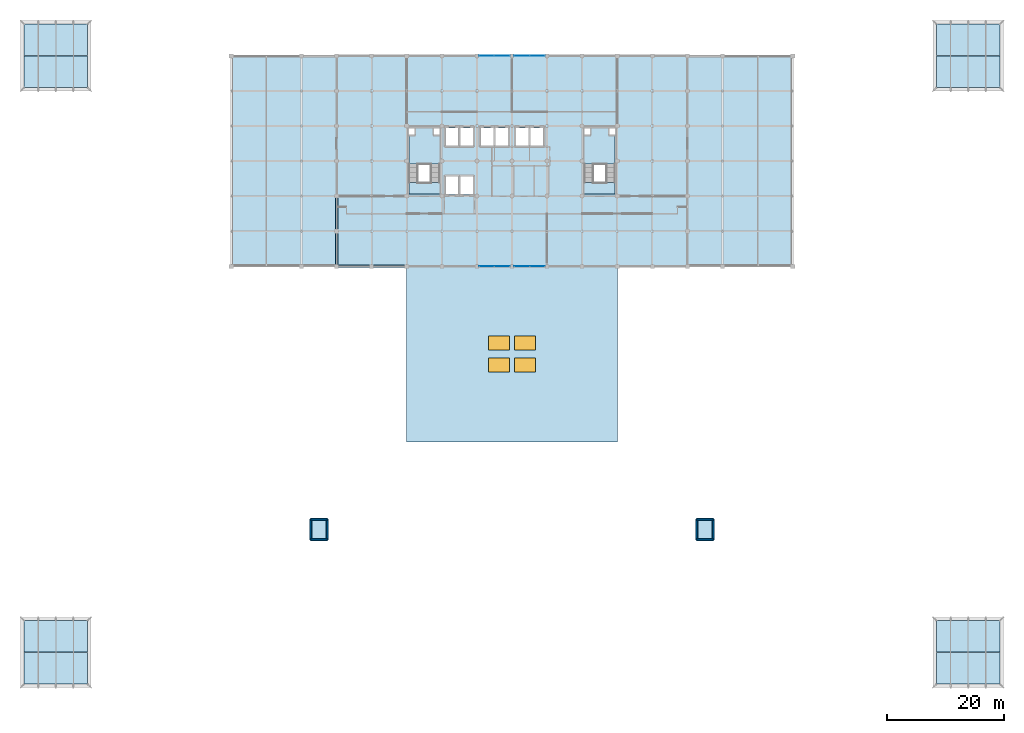
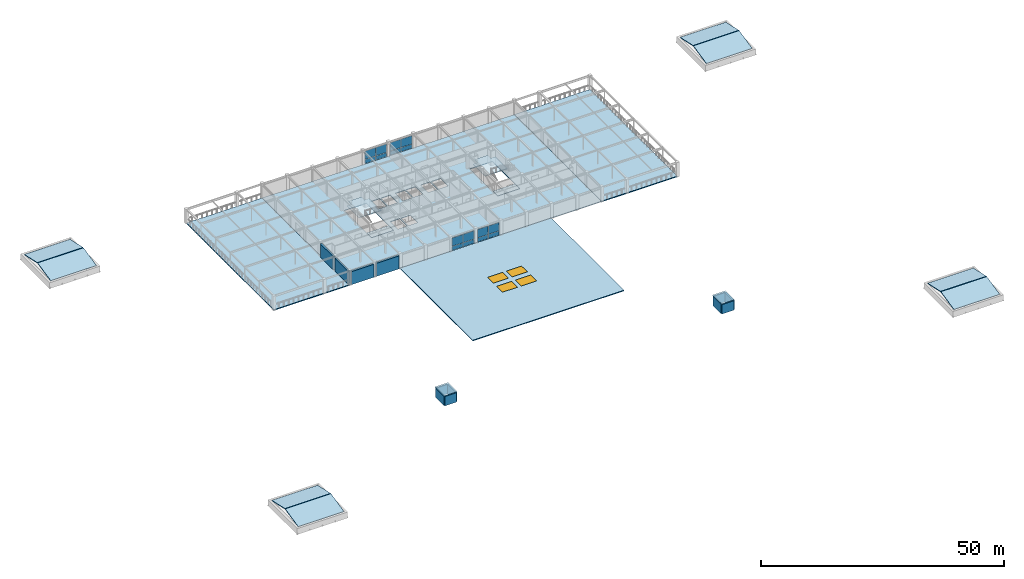
# One storey, part 19 of 25: 18 slabs, 16 plates, 12 walls, 4 windows, 4 openings, 6 elements without a shape of their own.
"""IFC4 building model written with IfcOpenShell, lengths in metres."""

from ifc_helpers import new_model, si_unit, direction, frame, frame_2d, origin, origin_2d, place, context, subcontext, project, spatial, polyline, rectangle, outline, extrude, material, layer, layer_set, type_object, element, fill, aggregate, save


model = new_model("IFC4")

# Units and contexts
model_context = context("Model", 3, precision=1e-05, world=origin(), true_north=direction((0.0, 1.0)))
body_context = subcontext(model_context, "Body", "Model", "MODEL_VIEW")
ifc_project = project(units=[si_unit("LENGTHUNIT", "METRE"), si_unit("AREAUNIT", "SQUARE_METRE"), si_unit("VOLUMEUNIT", "CUBIC_METRE"), si_unit("PLANEANGLEUNIT", "RADIAN"), si_unit("MASSUNIT", "GRAM", prefix="KILO")], contexts=[model_context])

# Site, building, storey
site_placement = place(None, origin())
site = spatial("IfcSite", under=ifc_project, at=site_placement, CompositionType="ELEMENT")
building_placement = place(site_placement, origin())
building = spatial("IfcBuilding", under=site, at=building_placement, Name="Zlatovratsky Civic Hall", CompositionType="ELEMENT")
storey_placement = place(building_placement, frame((0.0, 0.0, 21.0)))
storey = spatial("IfcBuildingStorey", under=building, at=storey_placement, Name="L05", CompositionType="ELEMENT", Elevation=21.0)

# Curtain wall, plates
ifc_material_1 = material(Name="Anodised bronze aluminium", Category="aluminium")
ifc_layer_1 = layer(ifc_material_1, 0.159912109375)
ifc_layer_set_1 = layer_set([ifc_layer_1], Name="Anodised bronze aluminium")
curtain_wall_type = type_object("IfcCurtainWallType", Name="CurtainWall_Bronze_5300x3280_20", PredefinedType="NOTDEFINED", material=ifc_layer_set_1)
curtain_wall_1_placement = place(storey_placement, origin())
curtain_wall_1 = element("IfcCurtainWall", 1, at=curtain_wall_1_placement, inside=storey, type_object=curtain_wall_type, Name="CW-129", PredefinedType="NOTDEFINED")
ifc_material_2 = material(Name="Solar-control triple glazing", Category="glass")
ifc_layer_2 = layer(ifc_material_2, 0.028076171875)
ifc_layer_set_2 = layer_set([ifc_layer_2], Name="Solar-control triple glazing")
plate_type = type_object("IfcPlateType", Name="Panel_TowerTripleGlazing_28", PredefinedType="CURTAIN_PANEL", material=ifc_layer_set_2)
plate_1_placement = place(storey_placement, frame((79.68994140625, 72.0, 0.06005859375), z_axis=(0.0, 0.0, 1.0), x_axis=(1.0, 0.0, 0.0)))
plate_1 = element("IfcPlate", 2, at=plate_1_placement, type_object=plate_type, Name="CW-20 panel 1.1", PredefinedType="CURTAIN_PANEL", context=body_context, shape_type="SweptSolid", body=[
    extrude(rectangle(XDim=2.56005859375, YDim=0.028076171875, at=origin_2d()), origin(), (0.0, 0.0, 1.0), 1.010009765625),
])
plate_2_placement = place(storey_placement, frame((79.68994140625, 72.0, 1.1298828125), z_axis=(0.0, 0.0, 1.0), x_axis=(1.0, 0.0, 0.0)))
plate_2 = element("IfcPlate", 3, at=plate_2_placement, type_object=plate_type, Name="CW-20 panel 1.2", PredefinedType="CURTAIN_PANEL", context=body_context, shape_type="SweptSolid", body=[
    extrude(rectangle(XDim=2.56005859375, YDim=0.028076171875, at=origin_2d()), origin(), (0.0, 0.0, 1.0), 2.090087890625),
])
plate_3_placement = place(storey_placement, frame((82.31005859375, 72.0, 0.06005859375), z_axis=(0.0, 0.0, 1.0), x_axis=(1.0, 0.0, 0.0)))
plate_3 = element("IfcPlate", 4, at=plate_3_placement, type_object=plate_type, Name="CW-20 panel 2.1", PredefinedType="CURTAIN_PANEL", context=body_context, shape_type="SweptSolid", body=[
    extrude(rectangle(XDim=2.56005859375, YDim=0.028076171875, at=origin_2d()), origin(), (0.0, 0.0, 1.0), 1.010009765625),
])
plate_4_placement = place(storey_placement, frame((82.31005859375, 72.0, 1.1298828125), z_axis=(0.0, 0.0, 1.0), x_axis=(1.0, 0.0, 0.0)))
plate_4 = element("IfcPlate", 5, at=plate_4_placement, type_object=plate_type, Name="CW-20 panel 2.2", PredefinedType="CURTAIN_PANEL", context=body_context, shape_type="SweptSolid", body=[
    extrude(rectangle(XDim=2.56005859375, YDim=0.028076171875, at=origin_2d()), origin(), (0.0, 0.0, 1.0), 2.090087890625),
])
aggregate(curtain_wall_1, [plate_1, plate_2, plate_3, plate_4])

curtain_wall_2_placement = place(storey_placement, origin())
curtain_wall_2 = element("IfcCurtainWall", 6, at=curtain_wall_2_placement, inside=storey, type_object=curtain_wall_type, Name="CW-130", PredefinedType="NOTDEFINED")
plate_5_placement = place(storey_placement, frame((85.68994140625, 72.0, 0.06005859375), z_axis=(0.0, 0.0, 1.0), x_axis=(1.0, 0.0, 0.0)))
plate_5 = element("IfcPlate", 7, at=plate_5_placement, type_object=plate_type, Name="CW-20 panel 1.1", PredefinedType="CURTAIN_PANEL", context=body_context, shape_type="SweptSolid", body=[
    extrude(rectangle(XDim=2.56005859375, YDim=0.028076171875, at=origin_2d()), origin(), (0.0, 0.0, 1.0), 1.010009765625),
])
plate_6_placement = place(storey_placement, frame((85.68994140625, 72.0, 1.1298828125), z_axis=(0.0, 0.0, 1.0), x_axis=(1.0, 0.0, 0.0)))
plate_6 = element("IfcPlate", 8, at=plate_6_placement, type_object=plate_type, Name="CW-20 panel 1.2", PredefinedType="CURTAIN_PANEL", context=body_context, shape_type="SweptSolid", body=[
    extrude(rectangle(XDim=2.56005859375, YDim=0.028076171875, at=origin_2d()), origin(), (0.0, 0.0, 1.0), 2.090087890625),
])
plate_7_placement = place(storey_placement, frame((88.31005859375, 72.0, 0.06005859375), z_axis=(0.0, 0.0, 1.0), x_axis=(1.0, 0.0, 0.0)))
plate_7 = element("IfcPlate", 9, at=plate_7_placement, type_object=plate_type, Name="CW-20 panel 2.1", PredefinedType="CURTAIN_PANEL", context=body_context, shape_type="SweptSolid", body=[
    extrude(rectangle(XDim=2.56005859375, YDim=0.028076171875, at=origin_2d()), origin(), (0.0, 0.0, 1.0), 1.010009765625),
])
plate_8_placement = place(storey_placement, frame((88.31005859375, 72.0, 1.1298828125), z_axis=(0.0, 0.0, 1.0), x_axis=(1.0, 0.0, 0.0)))
plate_8 = element("IfcPlate", 10, at=plate_8_placement, type_object=plate_type, Name="CW-20 panel 2.2", PredefinedType="CURTAIN_PANEL", context=body_context, shape_type="SweptSolid", body=[
    extrude(rectangle(XDim=2.56005859375, YDim=0.028076171875, at=origin_2d()), origin(), (0.0, 0.0, 1.0), 2.090087890625),
])
aggregate(curtain_wall_2, [plate_5, plate_6, plate_7, plate_8])

curtain_wall_3_placement = place(storey_placement, origin())
curtain_wall_3 = element("IfcCurtainWall", 11, at=curtain_wall_3_placement, inside=storey, type_object=curtain_wall_type, Name="CW-131", PredefinedType="NOTDEFINED")
plate_9_placement = place(storey_placement, frame((79.68994140625, 108.0, 0.06005859375), z_axis=(0.0, 0.0, 1.0), x_axis=(1.0, 0.0, 0.0)))
plate_9 = element("IfcPlate", 12, at=plate_9_placement, type_object=plate_type, Name="CW-20 panel 1.1", PredefinedType="CURTAIN_PANEL", context=body_context, shape_type="SweptSolid", body=[
    extrude(rectangle(XDim=2.56005859375, YDim=0.028076171875, at=origin_2d()), origin(), (0.0, 0.0, 1.0), 1.010009765625),
])
plate_10_placement = place(storey_placement, frame((79.68994140625, 108.0, 1.1298828125), z_axis=(0.0, 0.0, 1.0), x_axis=(1.0, 0.0, 0.0)))
plate_10 = element("IfcPlate", 13, at=plate_10_placement, type_object=plate_type, Name="CW-20 panel 1.2", PredefinedType="CURTAIN_PANEL", context=body_context, shape_type="SweptSolid", body=[
    extrude(rectangle(XDim=2.56005859375, YDim=0.028076171875, at=origin_2d()), origin(), (0.0, 0.0, 1.0), 2.090087890625),
])
plate_11_placement = place(storey_placement, frame((82.31005859375, 108.0, 0.06005859375), z_axis=(0.0, 0.0, 1.0), x_axis=(1.0, 0.0, 0.0)))
plate_11 = element("IfcPlate", 14, at=plate_11_placement, type_object=plate_type, Name="CW-20 panel 2.1", PredefinedType="CURTAIN_PANEL", context=body_context, shape_type="SweptSolid", body=[
    extrude(rectangle(XDim=2.56005859375, YDim=0.028076171875, at=origin_2d()), origin(), (0.0, 0.0, 1.0), 1.010009765625),
])
plate_12_placement = place(storey_placement, frame((82.31005859375, 108.0, 1.1298828125), z_axis=(0.0, 0.0, 1.0), x_axis=(1.0, 0.0, 0.0)))
plate_12 = element("IfcPlate", 15, at=plate_12_placement, type_object=plate_type, Name="CW-20 panel 2.2", PredefinedType="CURTAIN_PANEL", context=body_context, shape_type="SweptSolid", body=[
    extrude(rectangle(XDim=2.56005859375, YDim=0.028076171875, at=origin_2d()), origin(), (0.0, 0.0, 1.0), 2.090087890625),
])
aggregate(curtain_wall_3, [plate_9, plate_10, plate_11, plate_12])

curtain_wall_4_placement = place(storey_placement, origin())
curtain_wall_4 = element("IfcCurtainWall", 16, at=curtain_wall_4_placement, inside=storey, type_object=curtain_wall_type, Name="CW-132", PredefinedType="NOTDEFINED")
plate_13_placement = place(storey_placement, frame((85.68994140625, 108.0, 0.06005859375), z_axis=(0.0, 0.0, 1.0), x_axis=(1.0, 0.0, 0.0)))
plate_13 = element("IfcPlate", 17, at=plate_13_placement, type_object=plate_type, Name="CW-20 panel 1.1", PredefinedType="CURTAIN_PANEL", context=body_context, shape_type="SweptSolid", body=[
    extrude(rectangle(XDim=2.56005859375, YDim=0.028076171875, at=origin_2d()), origin(), (0.0, 0.0, 1.0), 1.010009765625),
])
plate_14_placement = place(storey_placement, frame((85.68994140625, 108.0, 1.1298828125), z_axis=(0.0, 0.0, 1.0), x_axis=(1.0, 0.0, 0.0)))
plate_14 = element("IfcPlate", 18, at=plate_14_placement, type_object=plate_type, Name="CW-20 panel 1.2", PredefinedType="CURTAIN_PANEL", context=body_context, shape_type="SweptSolid", body=[
    extrude(rectangle(XDim=2.56005859375, YDim=0.028076171875, at=origin_2d()), origin(), (0.0, 0.0, 1.0), 2.090087890625),
])
plate_15_placement = place(storey_placement, frame((88.31005859375, 108.0, 0.06005859375), z_axis=(0.0, 0.0, 1.0), x_axis=(1.0, 0.0, 0.0)))
plate_15 = element("IfcPlate", 19, at=plate_15_placement, type_object=plate_type, Name="CW-20 panel 2.1", PredefinedType="CURTAIN_PANEL", context=body_context, shape_type="SweptSolid", body=[
    extrude(rectangle(XDim=2.56005859375, YDim=0.028076171875, at=origin_2d()), origin(), (0.0, 0.0, 1.0), 1.010009765625),
])
plate_16_placement = place(storey_placement, frame((88.31005859375, 108.0, 1.1298828125), z_axis=(0.0, 0.0, 1.0), x_axis=(1.0, 0.0, 0.0)))
plate_16 = element("IfcPlate", 20, at=plate_16_placement, type_object=plate_type, Name="CW-20 panel 2.2", PredefinedType="CURTAIN_PANEL", context=body_context, shape_type="SweptSolid", body=[
    extrude(rectangle(XDim=2.56005859375, YDim=0.028076171875, at=origin_2d()), origin(), (0.0, 0.0, 1.0), 2.090087890625),
])
aggregate(curtain_wall_4, [plate_13, plate_14, plate_15, plate_16])

# Slab, openings, windows
ifc_material_3 = material(Name="Concrete C35/45 (B40)", Category="concrete")
ifc_layer_3 = layer(ifc_material_3, 0.199951171875)
ifc_layer_set_3 = layer_set([ifc_layer_3], Name="Concrete C35/45 (B40)")
slab_type_1 = type_object("IfcSlabType", Name="Slab_ChamberCofferedRoof_200", PredefinedType="ROOF", material=ifc_layer_set_3)
slab_1_placement = place(storey_placement, frame((0.0, 0.0, -0.199951171875)))
slab_1 = element("IfcSlab", 21, at=slab_1_placement, inside=storey, type_object=slab_type_1, Name="SL-096", PredefinedType="ROOF", context=body_context, shape_type="SweptSolid", body=[
    extrude(outline(polyline([(66.0, 42.0), (102.0, 42.0), (102.0, 72.0), (66.0, 72.0), (66.0, 42.0)])), origin(), (0.0, 0.0, 1.0), 0.199951171875),
])
opening_1_placement = place(slab_1_placement, frame((81.75, 55.125, 0.0)))
opening_1 = element("IfcOpeningElement", 22, at=opening_1_placement, cuts=slab_1, Name="Opening SK-06", PredefinedType="OPENING", context=body_context, shape_type="SweptSolid", body=[
    extrude(rectangle(XDim=3.60009765625, YDim=2.39990234375, at=origin_2d()), frame((0.0, 0.0, -0.014892578125)), (0.0, 0.0, 1.0), 0.229736328125),
])
opening_2_placement = place(slab_1_placement, frame((86.25, 55.125, 0.0)))
opening_2 = element("IfcOpeningElement", 23, at=opening_2_placement, cuts=slab_1, Name="Opening SK-06", PredefinedType="OPENING", context=body_context, shape_type="SweptSolid", body=[
    extrude(rectangle(XDim=3.60009765625, YDim=2.39990234375, at=origin_2d()), frame((0.0, 0.0, -0.014892578125)), (0.0, 0.0, 1.0), 0.229736328125),
])
opening_3_placement = place(slab_1_placement, frame((81.75, 58.875, 0.0)))
opening_3 = element("IfcOpeningElement", 24, at=opening_3_placement, cuts=slab_1, Name="Opening SK-06", PredefinedType="OPENING", context=body_context, shape_type="SweptSolid", body=[
    extrude(rectangle(XDim=3.60009765625, YDim=2.39990234375, at=origin_2d()), frame((0.0, 0.0, -0.014892578125)), (0.0, 0.0, 1.0), 0.229736328125),
])
opening_4_placement = place(slab_1_placement, frame((86.25, 58.875, 0.0)))
opening_4 = element("IfcOpeningElement", 25, at=opening_4_placement, cuts=slab_1, Name="Opening SK-06", PredefinedType="OPENING", context=body_context, shape_type="SweptSolid", body=[
    extrude(rectangle(XDim=3.60009765625, YDim=2.39990234375, at=origin_2d()), frame((0.0, 0.0, -0.014892578125)), (0.0, 0.0, 1.0), 0.229736328125),
])
ifc_material_4 = material(Name="Laminated safety rooflight glazing", Category="glass")
window_type = type_object("IfcWindowType", Name="Skylight_LibraryReading_3600x2400", PartitioningType="SINGLE_PANEL", PredefinedType="SKYLIGHT", material=ifc_material_4)
window_1_placement = place(opening_1_placement, frame((0.0, 0.0, 0.14990234375)))
window_1 = element("IfcWindow", 26, at=window_1_placement, inside=storey, type_object=window_type, Name="WN-0549", OverallHeight=2.39990234375, OverallWidth=3.60009765625, PartitioningType="SINGLE_PANEL", PredefinedType="SKYLIGHT", context=body_context, shape_type="SweptSolid", body=[
    extrude(rectangle(XDim=3.60009765625, YDim=2.39990234375, at=origin_2d()), origin(), (0.0, 0.0, 1.0), 0.050048828125),
])
fill(opening_1, window_1)
window_2_placement = place(opening_2_placement, frame((0.0, 0.0, 0.14990234375)))
window_2 = element("IfcWindow", 27, at=window_2_placement, inside=storey, type_object=window_type, Name="WN-0550", OverallHeight=2.39990234375, OverallWidth=3.60009765625, PartitioningType="SINGLE_PANEL", PredefinedType="SKYLIGHT", context=body_context, shape_type="SweptSolid", body=[
    extrude(rectangle(XDim=3.60009765625, YDim=2.39990234375, at=origin_2d()), origin(), (0.0, 0.0, 1.0), 0.050048828125),
])
fill(opening_2, window_2)
window_3_placement = place(opening_3_placement, frame((0.0, 0.0, 0.14990234375)))
window_3 = element("IfcWindow", 28, at=window_3_placement, inside=storey, type_object=window_type, Name="WN-0551", OverallHeight=2.39990234375, OverallWidth=3.60009765625, PartitioningType="SINGLE_PANEL", PredefinedType="SKYLIGHT", context=body_context, shape_type="SweptSolid", body=[
    extrude(rectangle(XDim=3.60009765625, YDim=2.39990234375, at=origin_2d()), origin(), (0.0, 0.0, 1.0), 0.050048828125),
])
fill(opening_3, window_3)
window_4_placement = place(opening_4_placement, frame((0.0, 0.0, 0.14990234375)))
window_4 = element("IfcWindow", 29, at=window_4_placement, inside=storey, type_object=window_type, Name="WN-0552", OverallHeight=2.39990234375, OverallWidth=3.60009765625, PartitioningType="SINGLE_PANEL", PredefinedType="SKYLIGHT", context=body_context, shape_type="SweptSolid", body=[
    extrude(rectangle(XDim=3.60009765625, YDim=2.39990234375, at=origin_2d()), origin(), (0.0, 0.0, 1.0), 0.050048828125),
])
fill(opening_4, window_4)

# Slabs
slab_2_placement = place(storey_placement, frame((0.0, 0.0, 1.85009765625)))
element("IfcSlab", 30, at=slab_2_placement, inside=storey, type_object=slab_type_1, Name="SL-110", PredefinedType="ROOF", context=body_context, shape_type="SweptSolid", body=[
    extrude(outline(polyline([(49.449951171875, 25.10009765625), (52.550048828125, 25.10009765625), (52.550048828125, 28.89990234375), (49.449951171875, 28.89990234375), (49.449951171875, 25.10009765625)])), origin(), (0.0, 0.0, 1.0), 0.199951171875),
])
slab_3_placement = place(storey_placement, frame((0.0, 0.0, 1.85009765625)))
element("IfcSlab", 31, at=slab_3_placement, inside=storey, type_object=slab_type_1, Name="SL-111", PredefinedType="ROOF", context=body_context, shape_type="SweptSolid", body=[
    extrude(outline(polyline([(115.449951171875, 25.10009765625), (118.550048828125, 25.10009765625), (118.550048828125, 28.89990234375), (115.449951171875, 28.89990234375), (115.449951171875, 25.10009765625)])), origin(), (0.0, 0.0, 1.0), 0.199951171875),
])
ifc_material_5 = material(Name="Concrete C30/37 (B35)", Category="concrete")
ifc_layer_4 = layer(ifc_material_5, 0.239990234375)
ifc_layer_set_4 = layer_set([ifc_layer_4], Name="Concrete C30/37 (B35)")
slab_type_2 = type_object("IfcSlabType", Name="Slab_CivicPodiumFloor_240", PredefinedType="FLOOR", material=ifc_layer_set_4)
slab_4_placement = place(storey_placement, frame((0.0, 0.0, -0.239990234375)))
element("IfcSlab", 32, at=slab_4_placement, inside=storey, type_object=slab_type_2, Name="SL-046", PredefinedType="FLOOR", context=body_context, shape_type="SweptSolid", body=[
    extrude(outline(polyline([(66.35009765625, 84.35009765625), (71.64990234375, 84.35009765625), (71.64990234375, 86.35009765625), (66.35009765625, 86.35009765625), (66.35009765625, 84.35009765625)])), origin(), (0.0, 0.0, 1.0), 0.239990234375),
])
slab_5_placement = place(storey_placement, frame((0.0, 0.0, -0.239990234375)))
element("IfcSlab", 33, at=slab_5_placement, inside=storey, type_object=slab_type_2, Name="SL-047", PredefinedType="FLOOR", context=body_context, shape_type="SweptSolid", body=[
    extrude(outline(polyline([(96.35009765625, 84.35009765625), (101.64990234375, 84.35009765625), (101.64990234375, 86.35009765625), (96.35009765625, 86.35009765625), (96.35009765625, 84.35009765625)])), origin(), (0.0, 0.0, 1.0), 0.239990234375),
])
ifc_layer_5 = layer(ifc_material_5, 0.139892578125)
ifc_layer_set_5 = layer_set([ifc_layer_5], Name="Concrete C30/37 (B35)")
slab_type_3 = type_object("IfcSlabType", Name="Slab_MansardTerrassonRoof_140", PredefinedType="ROOF", material=ifc_layer_set_5)
for number, where, z_axis, x_axis, name in (
    (34, (0.550048828125, 0.550048828125, 1.199951171875), (0.0, -0.217309637732, 0.976102720695), (1.0, 0.0, 0.0), "SL-112"),
    (35, (11.449951171875, 11.449951171875, 1.199951171875), (0.0, 0.217309637732, 0.976102720695), (-1.0, 0.0, 0.0), "SL-113"),
    (36, (156.550048828125, 0.550048828125, 1.199951171875), (0.0, -0.217309637732, 0.976102720695), (1.0, 0.0, 0.0), "SL-114"),
    (37, (167.449951171875, 11.449951171875, 1.199951171875), (0.0, 0.217309637732, 0.976102720695), (-1.0, 0.0, 0.0), "SL-115"),
    (38, (0.550048828125, 102.550048828125, 1.199951171875), (0.0, -0.217309637732, 0.976102720695), (1.0, 0.0, 0.0), "SL-116"),
    (39, (11.449951171875, 113.449951171875, 1.199951171875), (0.0, 0.217309637732, 0.976102720695), (-1.0, 0.0, 0.0), "SL-117"),
    (40, (156.550048828125, 102.550048828125, 1.199951171875), (0.0, -0.217309637732, 0.976102720695), (1.0, 0.0, 0.0), "SL-118"),
    (41, (167.449951171875, 113.449951171875, 1.199951171875), (0.0, 0.217309637732, 0.976102720695), (-1.0, 0.0, 0.0), "SL-119"),
):
    element("IfcSlab", number, at=place(storey_placement, frame(where, z_axis=z_axis, x_axis=x_axis)), inside=storey, type_object=slab_type_3, Name=name, PredefinedType="ROOF", context=body_context, shape_type="SweptSolid", body=[
        extrude(outline(polyline([(0.0, 0.0), (10.89990234375, 0.0), (10.89990234375, 5.5218497642195175), (0.0, 5.5218497642195175), (0.0, 0.0)])), origin(), (0.0, 0.0, -1.0), 0.139892578125),
    ])
ifc_layer_6 = layer(ifc_material_5, 0.219970703125)
ifc_layer_set_6 = layer_set([ifc_layer_6], Name="Concrete C30/37 (B35)")
slab_type_4 = type_object("IfcSlabType", Name="Slab_OutdoorStoneTerrace_220", PredefinedType="FLOOR", material=ifc_layer_set_6)
slab_6_placement = place(storey_placement, frame((0.0, 0.0, -0.219970703125)))
element("IfcSlab", 42, at=slab_6_placement, inside=storey, type_object=slab_type_4, Name="SL-048", PredefinedType="FLOOR", context=body_context, shape_type="SweptSolid", body=[
    extrude(outline(polyline([(36.0, 72.0), (54.0, 72.0), (54.0, 108.0), (36.0, 108.0), (36.0, 72.0)])), origin(), (0.0, 0.0, 1.0), 0.219970703125),
])
slab_7_placement = place(storey_placement, frame((0.0, 0.0, -0.219970703125)))
element("IfcSlab", 43, at=slab_7_placement, inside=storey, type_object=slab_type_4, Name="SL-049", PredefinedType="FLOOR", context=body_context, shape_type="SweptSolid", body=[
    extrude(outline(polyline([(114.0, 72.0), (132.0, 72.0), (132.0, 108.0), (114.0, 108.0), (114.0, 72.0)])), origin(), (0.0, 0.0, 1.0), 0.219970703125),
])

# Stair, slab
stair_type = type_object("IfcStairType", Name="Stair_HALF_24R_1550W_04", PredefinedType="HALF_TURN_STAIR", material=ifc_material_5)
stair_1_placement = place(storey_placement, origin())
stair_1 = element("IfcStair", 44, at=stair_1_placement, inside=storey, type_object=stair_type, Name="ST-006", PredefinedType="HALF_TURN_STAIR")
ifc_layer_7 = layer(ifc_material_5, 0.179931640625)
ifc_layer_set_7 = layer_set([ifc_layer_7], Name="Concrete C30/37 (B35)")
slab_type_5 = type_object("IfcSlabType", Name="Slab_StairLanding_180", PredefinedType="LANDING", material=ifc_layer_set_7)
slab_8_placement = place(storey_placement, frame((0.0, 0.0, 1.77001953125)))
slab_8 = element("IfcSlab", 45, at=slab_8_placement, type_object=slab_type_5, Name="SL-LD-06", PredefinedType="LANDING", context=body_context, shape_type="SweptSolid", body=[
    extrude(outline(polyline([(66.35009765625, 89.485107421875), (71.64990234375, 89.485107421875), (71.64990234375, 94.39990234375), (70.550048828125, 94.39990234375), (70.550048828125, 95.64990234375), (67.449951171875, 95.64990234375), (67.449951171875, 94.39990234375), (66.35009765625, 94.39990234375), (66.35009765625, 89.485107421875)])), origin(), (0.0, 0.0, 1.0), 0.179931640625),
])
aggregate(stair_1, [slab_8])

stair_2_placement = place(storey_placement, origin())
stair_2 = element("IfcStair", 46, at=stair_2_placement, inside=storey, type_object=stair_type, Name="ST-025", PredefinedType="HALF_TURN_STAIR")
slab_9_placement = place(storey_placement, frame((0.0, 0.0, 1.77001953125)))
slab_9 = element("IfcSlab", 47, at=slab_9_placement, type_object=slab_type_5, Name="SL-LD-25", PredefinedType="LANDING", context=body_context, shape_type="SweptSolid", body=[
    extrude(outline(polyline([(96.35009765625, 89.485107421875), (101.64990234375, 89.485107421875), (101.64990234375, 94.39990234375), (100.550048828125, 94.39990234375), (100.550048828125, 95.64990234375), (97.449951171875, 95.64990234375), (97.449951171875, 94.39990234375), (96.35009765625, 94.39990234375), (96.35009765625, 89.485107421875)])), origin(), (0.0, 0.0, 1.0), 0.179931640625),
])
aggregate(stair_2, [slab_9])

# Slab
ifc_layer_8 = layer(ifc_material_5, 0.159912109375)
ifc_layer_set_8 = layer_set([ifc_layer_8], Name="Concrete C30/37 (B35)")
slab_type_6 = type_object("IfcSlabType", Name="Slab_TowerCompositeFloor_160", PredefinedType="FLOOR", material=ifc_layer_set_8)
slab_10_placement = place(storey_placement, frame((0.0, 0.0, -0.159912109375)))
element("IfcSlab", 48, at=slab_10_placement, inside=storey, type_object=slab_type_6, Name="SL-045", PredefinedType="FLOOR", context=body_context, shape_type="SweptSolid", body=[
    extrude(outline(polyline([(54.0, 72.0), (114.0, 72.0), (114.0, 108.0), (54.0, 108.0), (54.0, 72.0)]), holes=[polyline([(66.35009765625, 84.35009765625), (71.64990234375, 84.35009765625), (71.64990234375, 95.64990234375), (66.35009765625, 95.64990234375), (66.35009765625, 84.35009765625)]), polyline([(96.35009765625, 84.35009765625), (101.64990234375, 84.35009765625), (101.64990234375, 95.64990234375), (96.35009765625, 95.64990234375), (96.35009765625, 84.35009765625)]), polyline([(72.64990234375, 84.300048828125), (74.85009765625, 84.300048828125), (74.85009765625, 87.39990234375), (72.64990234375, 87.39990234375), (72.64990234375, 84.300048828125)]), polyline([(75.14990234375, 84.300048828125), (77.35009765625, 84.300048828125), (77.35009765625, 87.39990234375), (75.14990234375, 87.39990234375), (75.14990234375, 84.300048828125)]), polyline([(72.64990234375, 92.60009765625), (74.85009765625, 92.60009765625), (74.85009765625, 95.699951171875), (72.64990234375, 95.699951171875), (72.64990234375, 92.60009765625)]), polyline([(75.14990234375, 92.60009765625), (77.35009765625, 92.60009765625), (77.35009765625, 95.699951171875), (75.14990234375, 95.699951171875), (75.14990234375, 92.60009765625)]), polyline([(78.64990234375, 92.60009765625), (80.85009765625, 92.60009765625), (80.85009765625, 95.699951171875), (78.64990234375, 95.699951171875), (78.64990234375, 92.60009765625)]), polyline([(81.14990234375, 92.60009765625), (83.35009765625, 92.60009765625), (83.35009765625, 95.699951171875), (81.14990234375, 95.699951171875), (81.14990234375, 92.60009765625)]), polyline([(84.64990234375, 92.60009765625), (86.85009765625, 92.60009765625), (86.85009765625, 95.699951171875), (84.64990234375, 95.699951171875), (84.64990234375, 92.60009765625)]), polyline([(87.14990234375, 92.60009765625), (89.35009765625, 92.60009765625), (89.35009765625, 95.699951171875), (87.14990234375, 95.699951171875), (87.14990234375, 92.60009765625)])]), origin(), (0.0, 0.0, 1.0), 0.159912109375),
])

# Walls
ifc_layer_9 = layer(ifc_material_3, 0.300048828125)
ifc_layer_set_9 = layer_set([ifc_layer_9], Name="Concrete C35/45 (B40)")
wall_type_1 = type_object("IfcWallType", Name="Wall_StairAndLiftShaft_300", PredefinedType="SHEAR", material=ifc_layer_set_9)
for number, where, z_axis, x_axis, name in (
    (49, (49.60009765625, 25.25, -0.5), (0.0, 0.0, 1.0), (1.0, 0.0, 0.0), "WL-6025"),
    (50, (49.60009765625, 28.75, -0.5), (0.0, 0.0, 1.0), (1.0, 0.0, 0.0), "WL-6026"),
):
    element("IfcWall", number, at=place(storey_placement, frame(where, z_axis=z_axis, x_axis=x_axis)), inside=storey, type_object=wall_type_1, Name=name, PredefinedType="SHEAR", context=body_context, shape_type="SweptSolid", body=[
        extrude(rectangle(XDim=2.7998046875, YDim=0.300048828125, at=frame_2d((1.39990234375, 0.0))), origin(), (0.0, 0.0, 1.0), 2.35009765625),
    ])
for number, where, z_axis, x_axis, name in (
    (51, (49.60009765625, 25.25, -0.5), (0.0, 0.0, 1.0), (0.0, 1.0, 0.0), "WL-6027"),
    (52, (52.39990234375, 25.25, -0.5), (0.0, 0.0, 1.0), (0.0, 1.0, 0.0), "WL-6028"),
):
    element("IfcWall", number, at=place(storey_placement, frame(where, z_axis=z_axis, x_axis=x_axis)), inside=storey, type_object=wall_type_1, Name=name, PredefinedType="SHEAR", context=body_context, shape_type="SweptSolid", body=[
        extrude(rectangle(XDim=3.5, YDim=0.300048828125, at=frame_2d((1.75, 0.0))), origin(), (0.0, 0.0, 1.0), 2.35009765625),
    ])
for number, where, z_axis, x_axis, name in (
    (53, (115.60009765625, 25.25, -0.5), (0.0, 0.0, 1.0), (1.0, 0.0, 0.0), "WL-6029"),
    (54, (115.60009765625, 28.75, -0.5), (0.0, 0.0, 1.0), (1.0, 0.0, 0.0), "WL-6030"),
):
    element("IfcWall", number, at=place(storey_placement, frame(where, z_axis=z_axis, x_axis=x_axis)), inside=storey, type_object=wall_type_1, Name=name, PredefinedType="SHEAR", context=body_context, shape_type="SweptSolid", body=[
        extrude(rectangle(XDim=2.7998046875, YDim=0.300048828125, at=frame_2d((1.39990234375, 0.0))), origin(), (0.0, 0.0, 1.0), 2.35009765625),
    ])
for number, where, z_axis, x_axis, name in (
    (55, (115.60009765625, 25.25, -0.5), (0.0, 0.0, 1.0), (0.0, 1.0, 0.0), "WL-6031"),
    (56, (118.39990234375, 25.25, -0.5), (0.0, 0.0, 1.0), (0.0, 1.0, 0.0), "WL-6032"),
):
    element("IfcWall", number, at=place(storey_placement, frame(where, z_axis=z_axis, x_axis=x_axis)), inside=storey, type_object=wall_type_1, Name=name, PredefinedType="SHEAR", context=body_context, shape_type="SweptSolid", body=[
        extrude(rectangle(XDim=3.5, YDim=0.300048828125, at=frame_2d((1.75, 0.0))), origin(), (0.0, 0.0, 1.0), 2.35009765625),
    ])
ifc_material_6 = material(Name="Acoustic ceramic blockwork", Category="masonry")
ifc_layer_10 = layer(ifc_material_6, 0.280029296875, Name="Backing")
ifc_material_7 = material(Name="Podolsk limestone ashlar", Category="masonry")
ifc_layer_11 = layer(ifc_material_7, 0.139892578125, Name="Finish")
ifc_layer_set_10 = layer_set([ifc_layer_10, ifc_layer_11], Name="Acoustic ceramic blockwork")
wall_type_2 = type_object("IfcWallType", Name="Wall_TowerLimestoneAshlar_420", PredefinedType="SOLIDWALL", material=ifc_layer_set_10)
for number, where, z_axis, x_axis, name in (
    (57, (54.35009765625, 72.0, 0.0), (0.0, 0.0, 1.0), (1.0, 0.0, 0.0), "WL-0389"),
    (58, (60.35009765625, 72.0, 0.0), (0.0, 0.0, 1.0), (1.0, 0.0, 0.0), "WL-0390"),
    (59, (54.0, 72.35009765625, 0.0), (0.0, 0.0, 1.0), (0.0, 1.0, 0.0), "WL-0405"),
    (60, (54.0, 78.35009765625, 0.0), (0.0, 0.0, 1.0), (0.0, 1.0, 0.0), "WL-0406"),
):
    element("IfcWall", number, at=place(storey_placement, frame(where, z_axis=z_axis, x_axis=x_axis)), inside=storey, type_object=wall_type_2, Name=name, PredefinedType="SOLIDWALL", context=body_context, shape_type="SweptSolid", body=[
        extrude(rectangle(XDim=5.2998046875, YDim=0.419921875, at=frame_2d((2.64990234375, 0.0))), origin(), (0.0, 0.0, 1.0), 3.280029296875),
    ])

save(model, "model.ifc")
